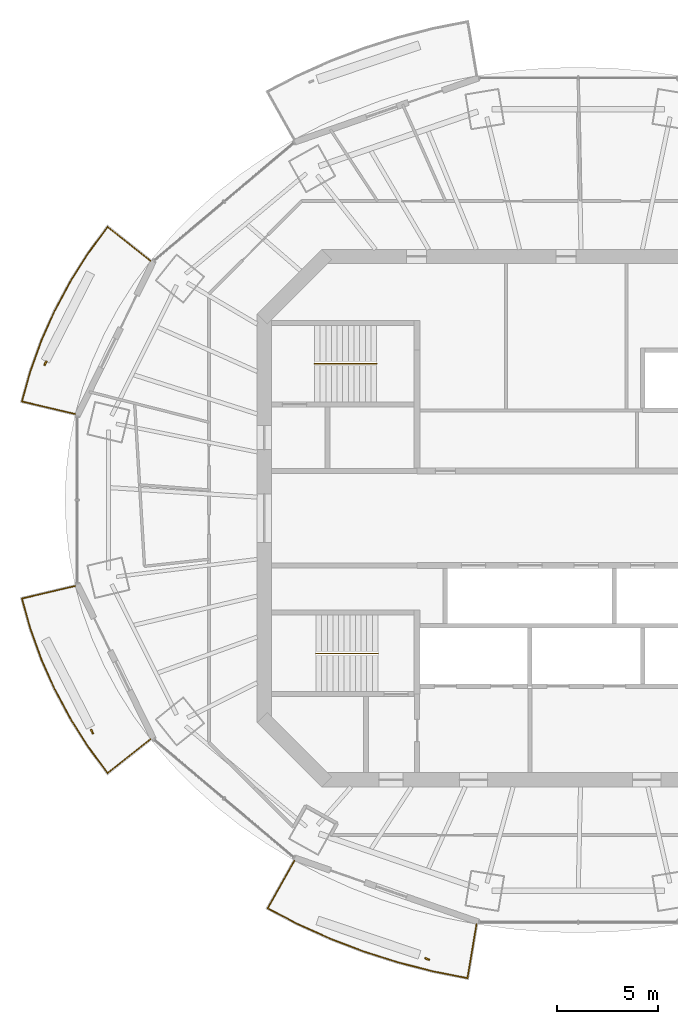
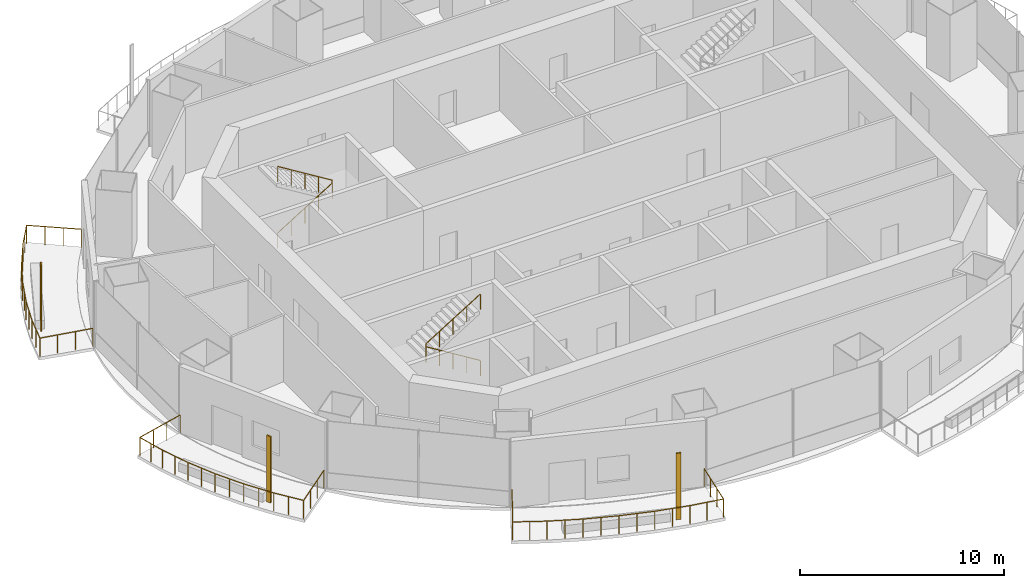
# One storey, part 12 of 15: 5 railings, 3 shading devices.
"""IFC4 building model written with IfcOpenShell, lengths in metres."""

import ifcopenshell
import ifcopenshell.guid

model = None  # the IFC model being written
_history = None  # IfcOwnerHistory: only IFC2X3 demands one
_inside = {}  # id of a spatial element -> (the spatial element, [elements in it])
_under = {}  # id of a project, library or spatial element -> (it, [spatial elements below it])
_declared = {}  # id of a project -> (the project, [libraries it declares])
_typed = {}  # id of a type object -> (the type object, [elements of that type])
_made_of = {}  # id of a material, layer set ... -> (it, [elements and type objects made of it])


def new_model(schema):
    """Start an empty IFC model of exactly this schema.

    Asked for "IFC4X3", IfcOpenShell would pick the latest addendum, in which some entities
    have other attributes; the version numbers below select the first issue.
    IFC2X3 requires an IfcOwnerHistory on every rooted entity: one is made here for all.
    """
    global model, _history
    if schema == "IFC4X3":
        model = ifcopenshell.file(schema_version=(4, 3, 0, 0))
    else:
        model = ifcopenshell.file(schema=schema)
    _inside.clear()
    _under.clear()
    _declared.clear()
    _typed.clear()
    _made_of.clear()
    _history = None
    if model.schema == "IFC2X3":
        org = make("IfcOrganization", Name="unknown")
        user = make(
            "IfcPersonAndOrganization",
            ThePerson=make("IfcPerson", FamilyName="unknown"),
            TheOrganization=org,
        )
        app = make(
            "IfcApplication",
            ApplicationDeveloper=org,
            Version="unknown",
            ApplicationFullName="unknown",
            ApplicationIdentifier="unknown",
        )
        _history = make(
            "IfcOwnerHistory",
            OwningUser=user,
            OwningApplication=app,
            ChangeAction="ADDED",
            CreationDate=0,
        )
    return model


def make(cls, **values):
    """One entity of the class cls with the attributes given. An attribute that is None is left unset."""
    return model.create_entity(
        cls, **{name: value for name, value in values.items() if value is not None}
    )


def rooted(cls, **values):
    """An entity with a GlobalId (a new one), such as an element, a storey or a relation."""
    return make(cls, GlobalId=ifcopenshell.guid.new(), OwnerHistory=_history, **values)


def si_unit(unit_type, name, prefix=None):
    """IfcSIUnit, for example si_unit("LENGTHUNIT", "METRE", prefix="MILLI")."""
    return make("IfcSIUnit", UnitType=unit_type, Prefix=prefix, Name=name)


def assignment(units):
    """IfcUnitAssignment: the units of a project."""
    return None if units is None else make("IfcUnitAssignment", Units=units)


def point(xyz):
    """IfcCartesianPoint."""
    return None if xyz is None else make("IfcCartesianPoint", Coordinates=xyz)


def direction(xyz):
    """IfcDirection."""
    return None if xyz is None else make("IfcDirection", DirectionRatios=xyz)


def frame(location, z_axis=None, x_axis=None):
    """IfcAxis2Placement3D, a coordinate frame: its origin and axes. An axis left out is left unset."""
    return make(
        "IfcAxis2Placement3D",
        Location=point(location),
        Axis=direction(z_axis),
        RefDirection=direction(x_axis),
    )


def frame_2d(location, x_axis=None):
    """IfcAxis2Placement2D, a coordinate frame in the plane: its origin and x axis."""
    return make(
        "IfcAxis2Placement2D", Location=point(location), RefDirection=direction(x_axis)
    )


def origin():
    """The frame at (0, 0, 0) with its axes left unset."""
    return frame((0.0, 0.0, 0.0))


def origin_2d():
    """The frame at (0, 0) in the plane with its x axis left unset."""
    return frame_2d((0.0, 0.0))


def place(relative_to, where):
    """IfcLocalPlacement: puts the frame where relative to a parent placement (None: the world)."""
    return make(
        "IfcLocalPlacement", PlacementRelTo=relative_to, RelativePlacement=where
    )


def context(
    kind, dimensions, precision=None, world=None, true_north=None, identifier=None
):
    """IfcGeometricRepresentationContext, for example the 3D "Model" context."""
    return make(
        "IfcGeometricRepresentationContext",
        ContextIdentifier=identifier,
        ContextType=kind,
        CoordinateSpaceDimension=dimensions,
        Precision=precision,
        WorldCoordinateSystem=world,
        TrueNorth=true_north,
    )


def subcontext(parent, identifier, kind, view, scale=None):
    """IfcGeometricRepresentationSubContext, for example "Body" below "Model"."""
    return make(
        "IfcGeometricRepresentationSubContext",
        ContextIdentifier=identifier,
        ContextType=kind,
        ParentContext=parent,
        TargetScale=scale,
        TargetView=view,
    )


def project(units=None, contexts=None):
    """IfcProject with its units and contexts."""
    return rooted(
        "IfcProject",
        Name="project",
        RepresentationContexts=contexts,
        UnitsInContext=assignment(units),
    )


def spatial(cls, under=None, at=None, **own):
    """A site, building, storey or space (cls), placed at a placement, below another one or the project."""
    s = rooted(cls, ObjectPlacement=at, **own)
    if under is not None:
        _under.setdefault(under.id(), (under, []))[1].append(s)
    return s


def profile(cls, at=None, kind="AREA", **sizes):
    """A parametric profile (cls). Its sizes go by their IFC names, for example OverallWidth=200.0."""
    return make(cls, ProfileType=kind, Position=at, **sizes)


def rectangle(**sizes):
    """IfcRectangleProfileDef."""
    return profile("IfcRectangleProfileDef", **sizes)


def circle(**sizes):
    """IfcCircleProfileDef."""
    return profile("IfcCircleProfileDef", **sizes)


def extrude(swept, where, along, depth):
    """IfcExtrudedAreaSolid: the profile swept, set in the frame where, extruded along a direction by depth."""
    return make(
        "IfcExtrudedAreaSolid",
        SweptArea=swept,
        Position=where,
        ExtrudedDirection=direction(along),
        Depth=depth,
    )


def shape(context_of_items, identifier, shape_type, items):
    """IfcShapeRepresentation: the items that make up one representation, for example the "Body"."""
    return make(
        "IfcShapeRepresentation",
        ContextOfItems=context_of_items,
        RepresentationIdentifier=identifier,
        RepresentationType=shape_type,
        Items=items,
    )


def material(Name=None, Category=None):
    """IfcMaterial."""
    return make("IfcMaterial", Name=Name, Category=Category)


def material_profile(
    of_material, cross_section, Name=None, Category=None, Priority=None
):
    """IfcMaterialProfile: a cross section and its material."""
    return make(
        "IfcMaterialProfile",
        Name=Name,
        Material=of_material,
        Profile=cross_section,
        Priority=Priority,
        Category=Category,
    )


def profile_set(profiles, Name=None, composite=None):
    """IfcMaterialProfileSet."""
    return make(
        "IfcMaterialProfileSet",
        Name=Name,
        MaterialProfiles=profiles,
        CompositeProfile=composite,
    )


def made_of(thing, what):
    """Note that an element or type object is made of a material, layer set ...; save() writes the relation."""
    if what is not None:
        _made_of.setdefault(what.id(), (what, []))[1].append(thing)
    return thing


def type_object(cls, material=None, **own):
    """A type object (cls), such as IfcWallType, which elements share."""
    return made_of(rooted(cls, **own), material)


def element(
    cls,
    number,
    at=None,
    inside=None,
    cuts=None,
    type_object=None,
    material=None,
    context=None,
    identifier="Body",
    shape_type=None,
    held_by="IfcProductDefinitionShape",
    body=None,
    shapes=None,
    **own,
):
    """One element of the class cls, such as IfcWall. Its Tag is "e" and its number.

    at: its placement. inside: the storey or other place that contains it. cuts: it is an
    opening in that element (IfcRelVoidsElement). A single representation is given by context,
    identifier, shape_type and body (its items); several are given by shapes. held_by: the class
    of the entity that holds the representations. save() writes the other relations.
    """
    e = rooted(cls, Tag="e%d" % number, ObjectPlacement=at, **own)
    if body is not None:
        shapes = [shape(context, identifier, shape_type, body)]
    if shapes is not None:
        e.Representation = make(held_by, Representations=shapes)
    if inside is not None:
        _inside.setdefault(inside.id(), (inside, []))[1].append(e)
    if cuts is not None:
        rooted(
            "IfcRelVoidsElement", RelatingBuildingElement=cuts, RelatedOpeningElement=e
        )
    if type_object is not None:
        _typed.setdefault(type_object.id(), (type_object, []))[1].append(e)
    return made_of(e, material)


def aggregate(whole, parts):
    """IfcRelAggregates: a whole, such as a stair, and the parts it consists of."""
    return rooted("IfcRelAggregates", RelatingObject=whole, RelatedObjects=parts)


def save(model, path):
    """Write the relations noted so far, then the file.

    IfcRelAggregates (storeys below a building ...), IfcRelContainedInSpatialStructure (elements
    in a storey), IfcRelDefinesByType, IfcRelAssociatesMaterial and IfcRelDeclares: one each for
    every whole, place, type object, material and project.
    """
    for whole, parts in _under.values():
        aggregate(whole, parts)
    for where, things in _inside.values():
        rooted(
            "IfcRelContainedInSpatialStructure",
            RelatedElements=things,
            RelatingStructure=where,
        )
    for kind, things in _typed.values():
        rooted("IfcRelDefinesByType", RelatedObjects=things, RelatingType=kind)
    for what, things in _made_of.values():
        rooted("IfcRelAssociatesMaterial", RelatedObjects=things, RelatingMaterial=what)
    for by, libraries in _declared.values():
        rooted("IfcRelDeclares", RelatingContext=by, RelatedDefinitions=libraries)
    model.write(path)


model = new_model("IFC4")

# Units and contexts
model_context = context("Model", 3, precision=1e-05, world=origin(), true_north=direction((0.0, 1.0)))
body_context = subcontext(model_context, "Body", "Model", "MODEL_VIEW")
ifc_project = project(units=[si_unit("LENGTHUNIT", "METRE"), si_unit("AREAUNIT", "SQUARE_METRE"), si_unit("VOLUMEUNIT", "CUBIC_METRE"), si_unit("PLANEANGLEUNIT", "RADIAN"), si_unit("MASSUNIT", "GRAM", prefix="KILO")], contexts=[model_context])

# Site, building, storey
site_placement = place(None, origin())
site = spatial("IfcSite", under=ifc_project, at=site_placement, CompositionType="ELEMENT")
building_placement = place(site_placement, origin())
building = spatial("IfcBuilding", under=site, at=building_placement, Name="Marenthal Gate Tower", CompositionType="ELEMENT")
storey_placement = place(building_placement, frame((0.0, 0.0, 384.10009765625)))
storey = spatial("IfcBuildingStorey", under=building, at=storey_placement, Name="L87", CompositionType="ELEMENT", Elevation=384.10009765625)

# Railings
ifc_material_1 = material(Name="Stainless steel", Category="steel")
railing_type_1 = type_object("IfcRailingType", Name="Balcony guard 1100", PredefinedType="GUARDRAIL", material=ifc_material_1)
railing_1_placement = place(storey_placement, frame((-25.3916015625, 5.17236328125, 0.0)))
element("IfcRailing", 1, at=railing_1_placement, inside=storey, type_object=railing_type_1, Name="Balcony guard L87 bay 7", PredefinedType="GUARDRAIL", context=body_context, shape_type="SweptSolid", body=[
    extrude(circle(Radius=0.02392578125, at=origin_2d()), frame((0.0, 0.0, 1.076171875), z_axis=(-0.973242229013, 0.229309654659, -0.014718897598), x_axis=(-0.2293344982, -0.973347670637, 0.0)), (0.0, 0.0, 1.0), 2.72021484375),
    extrude(circle(Radius=0.02392578125, at=origin_2d()), frame((-2.6474609375, 0.623779296875, 1.0361328125), z_axis=(0.268383876194, 0.963312044459, 0.0), x_axis=(-0.963312044459, 0.268383876194, 0.0)), (0.0, 0.0, 1.0), 1.54833984375),
    extrude(circle(Radius=0.02392578125, at=origin_2d()), frame((-2.23193359375, 2.115234375, 1.0361328125), z_axis=(0.338455003205, 0.940982577312, 0.0), x_axis=(-0.940982577312, 0.338455003205, 0.0)), (0.0, 0.0, 1.0), 1.634521484375),
    extrude(circle(Radius=0.02392578125, at=origin_2d()), frame((-1.6787109375, 3.6533203125, 1.0361328125), z_axis=(0.40761322546, 0.91315467388, 0.0), x_axis=(-0.91315467388, 0.40761322546, 0.0)), (0.0, 0.0, 1.0), 1.642822265625),
    extrude(circle(Radius=0.02392578125, at=origin_2d()), frame((-1.009033203125, 5.153564453125, 1.0361328125), z_axis=(0.473209477618, 0.880949936315, 0.0), x_axis=(-0.880949936315, 0.473209477618, 0.0)), (0.0, 0.0, 1.0), 1.652099609375),
    extrude(circle(Radius=0.02392578125, at=origin_2d()), frame((-0.227294921875, 6.60888671875, 1.0361328125), z_axis=(0.53537343379, 0.844615466583, 0.0), x_axis=(-0.844615466583, 0.53537343379, 0.0)), (0.0, 0.0, 1.0), 1.66259765625),
    extrude(circle(Radius=0.02392578125, at=origin_2d()), frame((0.662841796875, 8.01318359375, 1.0361328125), z_axis=(0.592007425155, 0.805932508689, 0.0), x_axis=(-0.805932508689, 0.592007425155, 0.0)), (0.0, 0.0, 1.0), 1.59423828125),
    extrude(circle(Radius=0.02392578125, at=origin_2d()), frame((1.606689453125, 9.298095703125, 1.0361328125), z_axis=(0.783960909107, -0.620635719709, 0.014717214869), x_axis=(0.620702944366, 0.784045824462, 0.0)), (0.0, 0.0, 1.0), 2.720458984375),
    extrude(circle(Radius=0.02099609375, at=origin_2d()), origin(), (0.0, 0.0, 1.0), 1.052001953125),
    extrude(circle(Radius=0.02099609375, at=origin_2d()), frame((-0.882568359375, 0.2080078125, -0.013427734375)), (0.0, 0.0, 1.0), 1.052001953125),
    extrude(circle(Radius=0.02099609375, at=origin_2d()), frame((-1.764892578125, 0.415771484375, -0.026611328125)), (0.0, 0.0, 1.0), 1.052001953125),
    extrude(circle(Radius=0.02099609375, at=origin_2d()), frame((-2.6474609375, 0.623779296875, -0.0400390625)), (0.0, 0.0, 1.0), 1.052001953125),
    extrude(circle(Radius=0.02099609375, at=origin_2d()), frame((-2.439697265625, 1.36962890625, -0.0400390625)), (0.0, 0.0, 1.0), 1.052001953125),
    extrude(circle(Radius=0.02099609375, at=origin_2d()), frame((-2.23193359375, 2.115234375, -0.0400390625)), (0.0, 0.0, 1.0), 1.052001953125),
    extrude(circle(Radius=0.02099609375, at=origin_2d()), frame((-1.955322265625, 2.88427734375, -0.0400390625)), (0.0, 0.0, 1.0), 1.052001953125),
    extrude(circle(Radius=0.02099609375, at=origin_2d()), frame((-1.6787109375, 3.6533203125, -0.0400390625)), (0.0, 0.0, 1.0), 1.052001953125),
    extrude(circle(Radius=0.02099609375, at=origin_2d()), frame((-1.34375, 4.4033203125, -0.0400390625)), (0.0, 0.0, 1.0), 1.052001953125),
    extrude(circle(Radius=0.02099609375, at=origin_2d()), frame((-1.009033203125, 5.153564453125, -0.0400390625)), (0.0, 0.0, 1.0), 1.052001953125),
    extrude(circle(Radius=0.02099609375, at=origin_2d()), frame((-0.6181640625, 5.88134765625, -0.0400390625)), (0.0, 0.0, 1.0), 1.052001953125),
    extrude(circle(Radius=0.02099609375, at=origin_2d()), frame((-0.227294921875, 6.60888671875, -0.0400390625)), (0.0, 0.0, 1.0), 1.052001953125),
    extrude(circle(Radius=0.02099609375, at=origin_2d()), frame((0.2177734375, 7.31103515625, -0.0400390625)), (0.0, 0.0, 1.0), 1.052001953125),
    extrude(circle(Radius=0.02099609375, at=origin_2d()), frame((0.662841796875, 8.01318359375, -0.0400390625)), (0.0, 0.0, 1.0), 1.052001953125),
    extrude(circle(Radius=0.02099609375, at=origin_2d()), frame((1.134765625, 8.65576171875, -0.0400390625)), (0.0, 0.0, 1.0), 1.052001953125),
    extrude(circle(Radius=0.02099609375, at=origin_2d()), frame((1.606689453125, 9.298095703125, -0.0400390625)), (0.0, 0.0, 1.0), 1.052001953125),
    extrude(circle(Radius=0.02099609375, at=origin_2d()), frame((2.317626953125, 8.7353515625, -0.026611328125)), (0.0, 0.0, 1.0), 1.052001953125),
    extrude(circle(Radius=0.02099609375, at=origin_2d()), frame((3.028564453125, 8.17236328125, -0.013427734375)), (0.0, 0.0, 1.0), 1.052001953125),
    extrude(circle(Radius=0.02099609375, at=origin_2d()), frame((3.739501953125, 7.609619140625, 0.0)), (0.0, 0.0, 1.0), 1.052001953125),
])
railing_2_placement = place(storey_placement, frame((-21.652099609375, -10.982177734375, 0.0)))
element("IfcRailing", 2, at=railing_2_placement, inside=storey, type_object=railing_type_1, Name="Balcony guard L87 bay 9", PredefinedType="GUARDRAIL", context=body_context, shape_type="SweptSolid", body=[
    extrude(circle(Radius=0.02392578125, at=origin_2d()), frame((0.0, 0.0, 1.076171875), z_axis=(-0.784004572536, -0.620580542478, -0.014718034558), x_axis=(0.620647768646, -0.784089502082, 0.0)), (0.0, 0.0, 1.0), 2.720458984375),
    extrude(circle(Radius=0.02392578125, at=origin_2d()), frame((-2.1328125, -1.688232421875, 1.0361328125), z_axis=(-0.592080493668, 0.805878830233, 0.0), x_axis=(-0.805878830233, -0.592080493668, 0.0)), (0.0, 0.0, 1.0), 1.59423828125),
    extrude(circle(Radius=0.02392578125, at=origin_2d()), frame((-3.07666015625, -0.403564453125, 1.0361328125), z_axis=(-0.535307042217, 0.844657546318, 0.0), x_axis=(-0.844657546318, -0.535307042217, 0.0)), (0.0, 0.0, 1.0), 1.662841796875),
    extrude(circle(Radius=0.02392578125, at=origin_2d()), frame((-3.966796875, 1.0009765625, 1.0361328125), z_axis=(-0.473209477618, 0.880949936315, 0.0), x_axis=(-0.880949936315, -0.473209477618, 0.0)), (0.0, 0.0, 1.0), 1.652099609375),
    extrude(circle(Radius=0.02392578125, at=origin_2d()), frame((-4.74853515625, 2.456298828125, 1.0361328125), z_axis=(-0.40761322546, 0.91315467388, 0.0), x_axis=(-0.91315467388, -0.40761322546, 0.0)), (0.0, 0.0, 1.0), 1.642822265625),
    extrude(circle(Radius=0.02392578125, at=origin_2d()), frame((-5.418212890625, 3.95654296875, 1.0361328125), z_axis=(-0.338455003205, 0.940982577312, 0.0), x_axis=(-0.940982577312, -0.338455003205, 0.0)), (0.0, 0.0, 1.0), 1.634521484375),
    extrude(circle(Radius=0.02392578125, at=origin_2d()), frame((-5.971435546875, 5.49462890625, 1.0361328125), z_axis=(-0.268383876194, 0.963312044459, 0.0), x_axis=(-0.963312044459, -0.268383876194, 0.0)), (0.0, 0.0, 1.0), 1.54833984375),
    extrude(circle(Radius=0.02392578125, at=origin_2d()), frame((-6.386962890625, 6.986083984375, 1.0361328125), z_axis=(0.973242229013, 0.229309654659, 0.014718897598), x_axis=(-0.2293344982, 0.973347670637, 0.0)), (0.0, 0.0, 1.0), 2.72021484375),
    extrude(circle(Radius=0.02099609375, at=origin_2d()), origin(), (0.0, 0.0, 1.0), 1.052001953125),
    extrude(circle(Radius=0.02099609375, at=origin_2d()), frame((-0.7109375, -0.562744140625, -0.013427734375)), (0.0, 0.0, 1.0), 1.052001953125),
    extrude(circle(Radius=0.02099609375, at=origin_2d()), frame((-1.421875, -1.12548828125, -0.026611328125)), (0.0, 0.0, 1.0), 1.052001953125),
    extrude(circle(Radius=0.02099609375, at=origin_2d()), frame((-2.1328125, -1.688232421875, -0.0400390625)), (0.0, 0.0, 1.0), 1.052001953125),
    extrude(circle(Radius=0.02099609375, at=origin_2d()), frame((-2.604736328125, -1.0458984375, -0.0400390625)), (0.0, 0.0, 1.0), 1.052001953125),
    extrude(circle(Radius=0.02099609375, at=origin_2d()), frame((-3.07666015625, -0.403564453125, -0.0400390625)), (0.0, 0.0, 1.0), 1.052001953125),
    extrude(circle(Radius=0.02099609375, at=origin_2d()), frame((-3.521728515625, 0.298828125, -0.0400390625)), (0.0, 0.0, 1.0), 1.052001953125),
    extrude(circle(Radius=0.02099609375, at=origin_2d()), frame((-3.966796875, 1.0009765625, -0.0400390625)), (0.0, 0.0, 1.0), 1.052001953125),
    extrude(circle(Radius=0.02099609375, at=origin_2d()), frame((-4.357666015625, 1.728515625, -0.0400390625)), (0.0, 0.0, 1.0), 1.052001953125),
    extrude(circle(Radius=0.02099609375, at=origin_2d()), frame((-4.74853515625, 2.456298828125, -0.0400390625)), (0.0, 0.0, 1.0), 1.052001953125),
    extrude(circle(Radius=0.02099609375, at=origin_2d()), frame((-5.08349609375, 3.20654296875, -0.0400390625)), (0.0, 0.0, 1.0), 1.052001953125),
    extrude(circle(Radius=0.02099609375, at=origin_2d()), frame((-5.418212890625, 3.95654296875, -0.0400390625)), (0.0, 0.0, 1.0), 1.052001953125),
    extrude(circle(Radius=0.02099609375, at=origin_2d()), frame((-5.69482421875, 4.7255859375, -0.0400390625)), (0.0, 0.0, 1.0), 1.052001953125),
    extrude(circle(Radius=0.02099609375, at=origin_2d()), frame((-5.971435546875, 5.49462890625, -0.0400390625)), (0.0, 0.0, 1.0), 1.052001953125),
    extrude(circle(Radius=0.02099609375, at=origin_2d()), frame((-6.17919921875, 6.240234375, -0.0400390625)), (0.0, 0.0, 1.0), 1.052001953125),
    extrude(circle(Radius=0.02099609375, at=origin_2d()), frame((-6.386962890625, 6.986083984375, -0.0400390625)), (0.0, 0.0, 1.0), 1.052001953125),
    extrude(circle(Radius=0.02099609375, at=origin_2d()), frame((-5.50439453125, 7.194091796875, -0.026611328125)), (0.0, 0.0, 1.0), 1.052001953125),
    extrude(circle(Radius=0.02099609375, at=origin_2d()), frame((-4.6220703125, 7.40185546875, -0.013427734375)), (0.0, 0.0, 1.0), 1.052001953125),
    extrude(circle(Radius=0.02099609375, at=origin_2d()), frame((-3.739501953125, 7.60986328125, 0.0)), (0.0, 0.0, 1.0), 1.052001953125),
])
railing_3_placement = place(storey_placement, frame((-5.45361328125, -20.173583984375, 0.0)))
element("IfcRailing", 3, at=railing_3_placement, inside=storey, type_object=railing_type_1, Name="Balcony guard L87 bay 11", PredefinedType="GUARDRAIL", context=body_context, shape_type="SweptSolid", body=[
    extrude(circle(Radius=0.02392578125, at=origin_2d()), frame((0.0, 0.0, 1.076171875), z_axis=(-0.165574389609, -0.986087475896, -0.014717723521), x_axis=(0.986194292137, -0.165592325172, 0.0)), (0.0, 0.0, 1.0), 2.720458984375),
    extrude(circle(Radius=0.02392578125, at=origin_2d()), frame((-0.450439453125, -2.6826171875, 1.0361328125), z_axis=(-0.980964438723, 0.194187460876, 0.0), x_axis=(-0.194187460876, -0.980964438723, 0.0)), (0.0, 0.0, 1.0), 1.728759765625),
    extrude(circle(Radius=0.02392578125, at=origin_2d()), frame((-2.146240234375, -2.346923828125, 1.0361328125), z_axis=(-0.968780763382, 0.247919003914, 0.0), x_axis=(-0.247919003914, -0.968780763382, 0.0)), (0.0, 0.0, 1.0), 1.802001953125),
    extrude(circle(Radius=0.02392578125, at=origin_2d()), frame((-3.89208984375, -1.900146484375, 1.0361328125), z_axis=(-0.95315602873, 0.30247906522, 0.0), x_axis=(-0.30247906522, -0.95315602873, 0.0)), (0.0, 0.0, 1.0), 1.794189453125),
    extrude(circle(Radius=0.02392578125, at=origin_2d()), frame((-5.602294921875, -1.357421875, 1.0361328125), z_axis=(-0.934181923489, 0.356797048512, 0.0), x_axis=(-0.356797048512, -0.934181923489, 0.0)), (0.0, 0.0, 1.0), 1.78515625),
    extrude(circle(Radius=0.02392578125, at=origin_2d()), frame((-7.27001953125, -0.720458984375, 1.0361328125), z_axis=(-0.911620111455, 0.411033784975, 0.0), x_axis=(-0.411033784975, -0.911620111455, 0.0)), (0.0, 0.0, 1.0), 1.774658203125),
    extrude(circle(Radius=0.02392578125, at=origin_2d()), frame((-8.887939453125, 0.009033203125, 1.0361328125), z_axis=(-0.88630797914, 0.463096281688, 0.0), x_axis=(-0.463096281688, -0.88630797914, 0.0)), (0.0, 0.0, 1.0), 1.683349609375),
    extrude(circle(Radius=0.02392578125, at=origin_2d()), frame((-10.3798828125, 0.78857421875, 1.0361328125), z_axis=(0.491196386037, 0.87092448933, 0.014718839267), x_axis=(-0.871018845044, 0.491249602115, 0.0)), (0.0, 0.0, 1.0), 2.72021484375),
    extrude(circle(Radius=0.02099609375, at=origin_2d()), origin(), (0.0, 0.0, 1.0), 1.052001953125),
    extrude(circle(Radius=0.02099609375, at=origin_2d()), frame((-0.150146484375, -0.894287109375, -0.013427734375)), (0.0, 0.0, 1.0), 1.052001953125),
    extrude(circle(Radius=0.02099609375, at=origin_2d()), frame((-0.30029296875, -1.788330078125, -0.026611328125)), (0.0, 0.0, 1.0), 1.052001953125),
    extrude(circle(Radius=0.02099609375, at=origin_2d()), frame((-0.450439453125, -2.6826171875, -0.0400390625)), (0.0, 0.0, 1.0), 1.052001953125),
    extrude(circle(Radius=0.02099609375, at=origin_2d()), frame((-1.29833984375, -2.5146484375, -0.0400390625)), (0.0, 0.0, 1.0), 1.052001953125),
    extrude(circle(Radius=0.02099609375, at=origin_2d()), frame((-2.146240234375, -2.346923828125, -0.0400390625)), (0.0, 0.0, 1.0), 1.052001953125),
    extrude(circle(Radius=0.02099609375, at=origin_2d()), frame((-3.01904296875, -2.12353515625, -0.0400390625)), (0.0, 0.0, 1.0), 1.052001953125),
    extrude(circle(Radius=0.02099609375, at=origin_2d()), frame((-3.89208984375, -1.900146484375, -0.0400390625)), (0.0, 0.0, 1.0), 1.052001953125),
    extrude(circle(Radius=0.02099609375, at=origin_2d()), frame((-4.7470703125, -1.62890625, -0.0400390625)), (0.0, 0.0, 1.0), 1.052001953125),
    extrude(circle(Radius=0.02099609375, at=origin_2d()), frame((-5.602294921875, -1.357421875, -0.0400390625)), (0.0, 0.0, 1.0), 1.052001953125),
    extrude(circle(Radius=0.02099609375, at=origin_2d()), frame((-6.43603515625, -1.0390625, -0.0400390625)), (0.0, 0.0, 1.0), 1.052001953125),
    extrude(circle(Radius=0.02099609375, at=origin_2d()), frame((-7.27001953125, -0.720458984375, -0.0400390625)), (0.0, 0.0, 1.0), 1.052001953125),
    extrude(circle(Radius=0.02099609375, at=origin_2d()), frame((-8.0791015625, -0.355712890625, -0.0400390625)), (0.0, 0.0, 1.0), 1.052001953125),
    extrude(circle(Radius=0.02099609375, at=origin_2d()), frame((-8.887939453125, 0.009033203125, -0.0400390625)), (0.0, 0.0, 1.0), 1.052001953125),
    extrude(circle(Radius=0.02099609375, at=origin_2d()), frame((-9.6337890625, 0.39892578125, -0.0400390625)), (0.0, 0.0, 1.0), 1.052001953125),
    extrude(circle(Radius=0.02099609375, at=origin_2d()), frame((-10.3798828125, 0.78857421875, -0.0400390625)), (0.0, 0.0, 1.0), 1.052001953125),
    extrude(circle(Radius=0.02099609375, at=origin_2d()), frame((-9.9345703125, 1.578369140625, -0.026611328125)), (0.0, 0.0, 1.0), 1.052001953125),
    extrude(circle(Radius=0.02099609375, at=origin_2d()), frame((-9.489013671875, 2.367919921875, -0.013427734375)), (0.0, 0.0, 1.0), 1.052001953125),
    extrude(circle(Radius=0.02099609375, at=origin_2d()), frame((-9.043701171875, 3.15771484375, 0.0)), (0.0, 0.0, 1.0), 1.052001953125),
])
ifc_material_2 = material(Name="Stainless steel", Category="steel")
railing_type_2 = type_object("IfcRailingType", Name="Stair handrail", PredefinedType="HANDRAIL", material=ifc_material_2)
railing_4_placement = place(storey_placement, frame((-13.5, 7.675048828125, 0.1728515625)))
element("IfcRailing", 4, at=railing_4_placement, inside=storey, type_object=railing_type_2, Name="Handrail ST1", PredefinedType="HANDRAIL", context=body_context, shape_type="SweptSolid", body=[
    extrude(circle(Radius=0.0224609375, at=origin_2d()), frame((0.0, 0.0, 0.927490234375), z_axis=(0.850835241893, 0.0, 0.525432575268), x_axis=(0.0, 1.0, 0.0)), (0.0, 0.0, 1.0), 3.6201171875),
    extrude(circle(Radius=0.0224609375, at=origin_2d()), frame((3.080078125, 0.0, 2.82958984375), z_axis=(0.0, 0.0, 1.0), x_axis=(1.0, 0.0, 0.0)), (0.0, 0.0, 1.0), 0.1728515625),
    extrude(circle(Radius=0.0224609375, at=origin_2d()), frame((3.080078125, 0.0, 3.00244140625), z_axis=(-0.850835241893, 0.0, 0.525432575268), x_axis=(0.0, -1.0, 0.0)), (0.0, 0.0, 1.0), 3.6201171875),
    extrude(circle(Radius=0.02001953125, at=origin_2d()), origin(), (0.0, 0.0, 1.0), 0.905029296875),
    extrude(circle(Radius=0.02001953125, at=origin_2d()), frame((0.77001953125, 0.0, 0.4755859375)), (0.0, 0.0, 1.0), 0.905029296875),
    extrude(circle(Radius=0.02001953125, at=origin_2d()), frame((1.5400390625, 0.0, 0.951171875)), (0.0, 0.0, 1.0), 0.905029296875),
    extrude(circle(Radius=0.02001953125, at=origin_2d()), frame((2.31005859375, 0.0, 1.426513671875)), (0.0, 0.0, 1.0), 0.905029296875),
    extrude(circle(Radius=0.02001953125, at=origin_2d()), frame((3.080078125, 0.0, 1.902099609375)), (0.0, 0.0, 1.0), 0.905029296875),
    extrude(circle(Radius=0.02001953125, at=origin_2d()), frame((3.080078125, 0.0, 2.074951171875)), (0.0, 0.0, 1.0), 0.905029296875),
    extrude(circle(Radius=0.02001953125, at=origin_2d()), frame((2.31005859375, 0.0, 2.550537109375)), (0.0, 0.0, 1.0), 0.905029296875),
    extrude(circle(Radius=0.02001953125, at=origin_2d()), frame((1.5400390625, 0.0, 3.02587890625)), (0.0, 0.0, 1.0), 0.905029296875),
    extrude(circle(Radius=0.02001953125, at=origin_2d()), frame((0.77001953125, 0.0, 3.50146484375)), (0.0, 0.0, 1.0), 0.905029296875),
    extrude(circle(Radius=0.02001953125, at=origin_2d()), frame((0.0, 0.0, 3.97705078125)), (0.0, 0.0, 1.0), 0.905029296875),
])
railing_5_placement = place(storey_placement, frame((-10.35009765625, -6.72509765625, 0.1728515625)))
element("IfcRailing", 5, at=railing_5_placement, inside=storey, type_object=railing_type_2, Name="Handrail ST2", PredefinedType="HANDRAIL", context=body_context, shape_type="SweptSolid", body=[
    extrude(circle(Radius=0.0224609375, at=origin_2d()), frame((0.0, 0.0, 0.927490234375), z_axis=(-0.850816621229, 0.0, 0.525462726595), x_axis=(0.0, -1.0, 0.0)), (0.0, 0.0, 1.0), 3.619873046875),
    extrude(circle(Radius=0.0224609375, at=origin_2d()), frame((-3.079833984375, 0.0, 2.82958984375), z_axis=(0.0, 0.0, 1.0), x_axis=(1.0, 0.0, 0.0)), (0.0, 0.0, 1.0), 0.1728515625),
    extrude(circle(Radius=0.0224609375, at=origin_2d()), frame((-3.079833984375, 0.0, 3.00244140625), z_axis=(0.850816621229, 0.0, 0.525462726595), x_axis=(0.0, 1.0, 0.0)), (0.0, 0.0, 1.0), 3.619873046875),
    extrude(circle(Radius=0.02001953125, at=origin_2d()), origin(), (0.0, 0.0, 1.0), 0.905029296875),
    extrude(circle(Radius=0.02001953125, at=origin_2d()), frame((-0.77001953125, 0.0, 0.4755859375)), (0.0, 0.0, 1.0), 0.905029296875),
    extrude(circle(Radius=0.02001953125, at=origin_2d()), frame((-1.5400390625, 0.0, 0.951171875)), (0.0, 0.0, 1.0), 0.905029296875),
    extrude(circle(Radius=0.02001953125, at=origin_2d()), frame((-2.309814453125, 0.0, 1.426513671875)), (0.0, 0.0, 1.0), 0.905029296875),
    extrude(circle(Radius=0.02001953125, at=origin_2d()), frame((-3.079833984375, 0.0, 1.902099609375)), (0.0, 0.0, 1.0), 0.905029296875),
    extrude(circle(Radius=0.02001953125, at=origin_2d()), frame((-3.079833984375, 0.0, 2.074951171875)), (0.0, 0.0, 1.0), 0.905029296875),
    extrude(circle(Radius=0.02001953125, at=origin_2d()), frame((-2.309814453125, 0.0, 2.550537109375)), (0.0, 0.0, 1.0), 0.905029296875),
    extrude(circle(Radius=0.02001953125, at=origin_2d()), frame((-1.5400390625, 0.0, 3.02587890625)), (0.0, 0.0, 1.0), 0.905029296875),
    extrude(circle(Radius=0.02001953125, at=origin_2d()), frame((-0.77001953125, 0.0, 3.50146484375)), (0.0, 0.0, 1.0), 0.905029296875),
    extrude(circle(Radius=0.02001953125, at=origin_2d()), frame((0.0, 0.0, 3.97705078125)), (0.0, 0.0, 1.0), 0.905029296875),
])

# Shading devices
ifc_material_3 = material(Name="Terracotta", Category="masonry")
ifc_material_profile = material_profile(ifc_material_3, rectangle(XDim=0.25, YDim=0.080078125, at=origin_2d()), Name="Terracotta baguette 250x80")
ifc_profile_set = profile_set([ifc_material_profile], Name="Terracotta")
shading_device_type = type_object("IfcShadingDeviceType", Name="Terracotta BAGUETTE SCREEN 250x80", PredefinedType="USERDEFINED", material=ifc_profile_set)
for number, where, z_axis, x_axis, name in (
    (6, (-26.87158203125, 7.69287109375, -0.0400390625), (0.0, 0.0, 1.0), (-0.440810069048, -0.897600402755, 0.0), "Terracotta BAGUETTE L87 bay 7R"),
    (7, (-24.555908203125, -10.60791015625, -0.0400390625), (0.0, 0.0, 1.0), (0.440810069048, -0.897600402755, 0.0), "Terracotta BAGUETTE L87 bay 9R"),
    (8, (-7.9033203125, -21.90771484375, -0.0400390625), (0.0, 0.0, 1.0), (0.944044940534, -0.329816843494, 0.0), "Terracotta BAGUETTE L87 bay 11R"),
):
    element("IfcShadingDevice", number, at=place(storey_placement, frame(where, z_axis=z_axis, x_axis=x_axis)), inside=storey, type_object=shading_device_type, Name=name, ObjectType="BAGUETTE SCREEN", PredefinedType="USERDEFINED", context=body_context, shape_type="SweptSolid", body=[
        extrude(rectangle(XDim=0.25, YDim=0.080078125, at=origin_2d()), origin(), (0.0, 0.0, 1.0), 3.969970703125),
    ])

save(model, "model.ifc")
